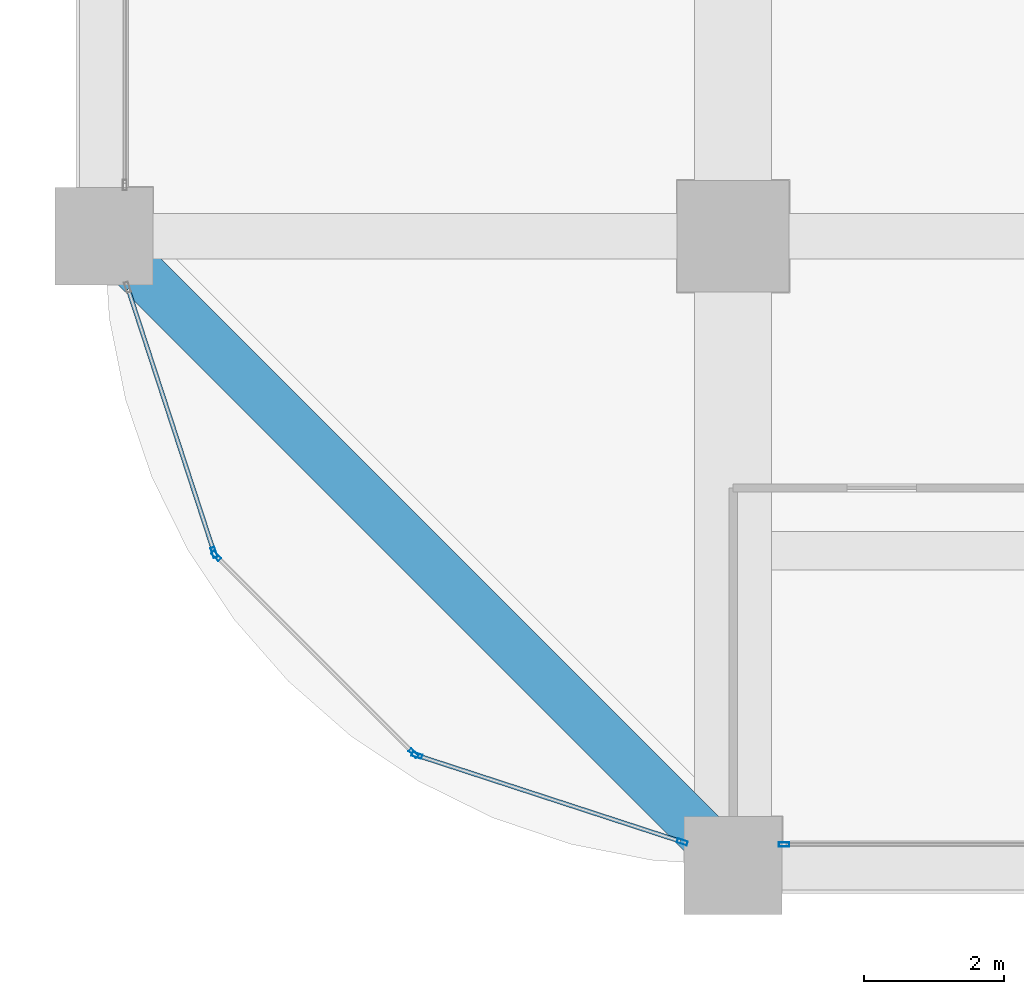
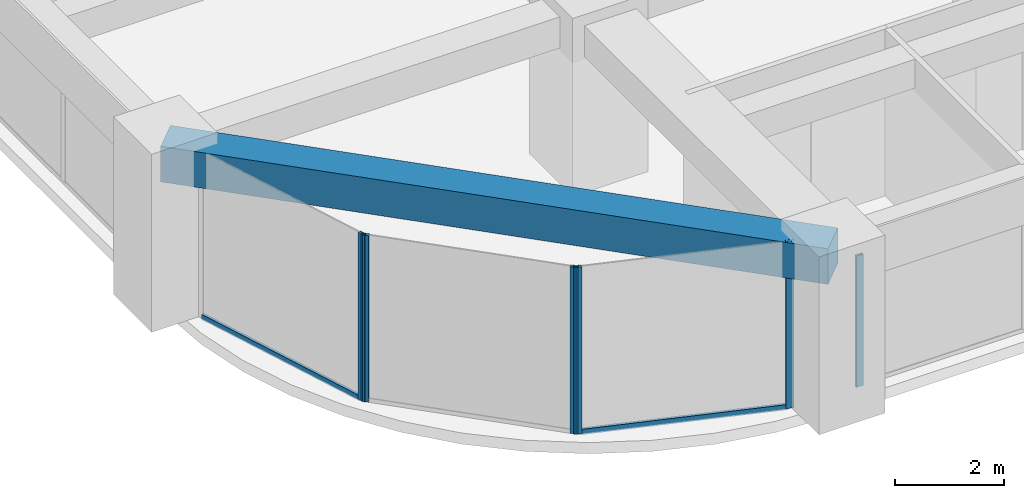
# One storey, part 2 of 34: 8 members, 1 beam, 4 elements without a shape of their own.
"""IFC4 building model written with IfcOpenShell, lengths in metres."""

from ifc_helpers import new_model, si_unit, direction, frame, origin, origin_2d, place, context, subcontext, project, spatial, rectangle, hollow_rectangle, extrude, material, material_profile, profile_set, type_object, element, aggregate, save


model = new_model("IFC4")

# Units and contexts
model_context = context("Model", 3, precision=1e-05, world=origin(), true_north=direction((0.0, 1.0)))
body_context = subcontext(model_context, "Body", "Model", "MODEL_VIEW")
ifc_project = project(units=[si_unit("LENGTHUNIT", "METRE"), si_unit("AREAUNIT", "SQUARE_METRE"), si_unit("VOLUMEUNIT", "CUBIC_METRE"), si_unit("PLANEANGLEUNIT", "RADIAN"), si_unit("MASSUNIT", "GRAM", prefix="KILO")], contexts=[model_context])

# Site, building, storey
site_placement = place(None, origin())
site = spatial("IfcSite", under=ifc_project, at=site_placement, CompositionType="ELEMENT")
building_placement = place(site_placement, origin())
building = spatial("IfcBuilding", under=site, at=building_placement, Name="Zorevar Civic Tower", CompositionType="ELEMENT")
storey_placement = place(building_placement, frame((0.0, 0.0, 174.199951171875)))
storey = spatial("IfcBuildingStorey", under=building, at=storey_placement, Name="L42", CompositionType="ELEMENT", Elevation=174.199951171875)

# Curtain wall, member
ifc_material_1 = material(Name="Dark grey solar-control glass in black aluminium frame", Category="aluminium")
curtain_wall_type = type_object("IfcCurtainWallType", Name="Curtain wall CW4 high zone", PredefinedType="NOTDEFINED", material=ifc_material_1)
curtain_wall_1_placement = place(storey_placement, origin())
curtain_wall_1 = element("IfcCurtainWall", 1, at=curtain_wall_1_placement, inside=storey, type_object=curtain_wall_type, Name="CW4 L42", PredefinedType="NOTDEFINED")
ifc_material_2 = material(Name="Aluminium, black anodised", Category="aluminium")
ifc_material_profile_1 = material_profile(ifc_material_2, hollow_rectangle(XDim=0.06005859375, YDim=0.14990234375, WallThickness=0.00390625, at=origin_2d()), Name="AL 150x60x4")
ifc_profile_set_1 = profile_set([ifc_material_profile_1], Name="Aluminium, black anodised")
member_type_1 = type_object("IfcMemberType", Name="CW4 mullion AL 150x60x4", PredefinedType="MULLION", material=ifc_profile_set_1)
member_1_placement = place(storey_placement, frame((9.72998046875, 0.300048828125, 0.0), z_axis=(0.0, 0.0, 1.0), x_axis=(0.0, 1.0, 0.0)))
member_1 = element("IfcMember", 2, at=member_1_placement, type_object=member_type_1, Name="CW4 mullion 1", PredefinedType="MULLION", context=body_context, shape_type="SweptSolid", body=[
    extrude(hollow_rectangle(XDim=0.06005859375, YDim=0.14990234375, WallThickness=0.00390625, at=origin_2d()), origin(), (0.0, 0.0, 1.0), 2.949951171875),
])
aggregate(curtain_wall_1, [member_1])

curtain_wall_2_placement = place(storey_placement, origin())
curtain_wall_2 = element("IfcCurtainWall", 3, at=curtain_wall_2_placement, inside=storey, type_object=curtain_wall_type, Name="CW4 L42", PredefinedType="NOTDEFINED")
member_2_placement = place(storey_placement, frame((1.57568359375, 4.477783203125, 0.0), z_axis=(0.0, 0.0, 1.0), x_axis=(0.950644749916, 0.310281419775, 0.0)))
member_2 = element("IfcMember", 4, at=member_2_placement, type_object=member_type_1, Name="CW4 mullion 2", PredefinedType="MULLION", context=body_context, shape_type="SweptSolid", body=[
    extrude(hollow_rectangle(XDim=0.06005859375, YDim=0.14990234375, WallThickness=0.00390625, at=origin_2d()), origin(), (0.0, 0.0, 1.0), 3.75),
])

# Curtain wall, members
curtain_wall_3_placement = place(storey_placement, origin())
curtain_wall_3 = element("IfcCurtainWall", 5, at=curtain_wall_3_placement, inside=storey, type_object=curtain_wall_type, Name="CW4 L42", PredefinedType="NOTDEFINED")
member_3_placement = place(storey_placement, frame((1.606201171875, 4.427978515625, 0.0), z_axis=(0.0, 0.0, 1.0), x_axis=(0.707106781187, 0.707106781187, 0.0)))
member_3 = element("IfcMember", 6, at=member_3_placement, type_object=member_type_1, Name="CW4 mullion 1", PredefinedType="MULLION", context=body_context, shape_type="SweptSolid", body=[
    extrude(hollow_rectangle(XDim=0.06005859375, YDim=0.14990234375, WallThickness=0.00390625, at=origin_2d()), origin(), (0.0, 0.0, 1.0), 3.75),
])
member_4_placement = place(storey_placement, frame((4.427978515625, 1.606201171875, 0.0), z_axis=(0.0, 0.0, 1.0), x_axis=(0.707106781187, 0.707106781187, 0.0)))
member_4 = element("IfcMember", 7, at=member_4_placement, type_object=member_type_1, Name="CW4 mullion 2", PredefinedType="MULLION", context=body_context, shape_type="SweptSolid", body=[
    extrude(hollow_rectangle(XDim=0.06005859375, YDim=0.14990234375, WallThickness=0.00390625, at=origin_2d()), origin(), (0.0, 0.0, 1.0), 3.75),
])
aggregate(curtain_wall_3, [member_3, member_4])

curtain_wall_4_placement = place(storey_placement, origin())
curtain_wall_4 = element("IfcCurtainWall", 8, at=curtain_wall_4_placement, inside=storey, type_object=curtain_wall_type, Name="CW4 L42", PredefinedType="NOTDEFINED")
member_5_placement = place(storey_placement, frame((4.477783203125, 1.57568359375, 0.0), z_axis=(0.0, 0.0, 1.0), x_axis=(0.310281419775, 0.950644749916, 0.0)))
member_5 = element("IfcMember", 9, at=member_5_placement, type_object=member_type_1, Name="CW4 mullion 1", PredefinedType="MULLION", context=body_context, shape_type="SweptSolid", body=[
    extrude(hollow_rectangle(XDim=0.06005859375, YDim=0.14990234375, WallThickness=0.00390625, at=origin_2d()), origin(), (0.0, 0.0, 1.0), 3.75),
])
member_6_placement = place(storey_placement, frame((8.271484375, 0.337646484375, 0.0), z_axis=(0.0, 0.0, 1.0), x_axis=(0.310281419775, 0.950644749916, 0.0)))
member_6 = element("IfcMember", 10, at=member_6_placement, type_object=member_type_1, Name="CW4 mullion 2", PredefinedType="MULLION", context=body_context, shape_type="SweptSolid", body=[
    extrude(hollow_rectangle(XDim=0.06005859375, YDim=0.14990234375, WallThickness=0.00390625, at=origin_2d()), origin(), (0.0, 0.0, 1.0), 3.75),
])

# Member
ifc_material_3 = material(Name="Aluminium, black anodised", Category="aluminium")
ifc_material_profile_2 = material_profile(ifc_material_3, hollow_rectangle(XDim=0.06005859375, YDim=0.1201171875, WallThickness=0.0029296875, at=origin_2d()), Name="AL 120x60x3")
ifc_profile_set_2 = profile_set([ifc_material_profile_2], Name="Aluminium, black anodised")
member_type_2 = type_object("IfcMemberType", Name="CW4 transom AL 120x60x3", PredefinedType="USERDEFINED", material=ifc_profile_set_2)
member_7_placement = place(storey_placement, frame((0.346923828125, 8.242919921875, 0.030029296875), z_axis=(0.31025859143, -0.950652200568, 0.0), x_axis=(0.950652200568, 0.31025859143, 0.0)))
member_7 = element("IfcMember", 11, at=member_7_placement, type_object=member_type_2, Name="CW4 sill transom", ObjectType="TRANSOM", PredefinedType="USERDEFINED", context=body_context, shape_type="SweptSolid", body=[
    extrude(hollow_rectangle(XDim=0.06005859375, YDim=0.1201171875, WallThickness=0.0029296875, at=origin_2d()), origin(), (0.0, 0.0, 1.0), 3.930419921875),
])

aggregate(curtain_wall_2, [member_2, member_7])

member_8_placement = place(storey_placement, frame((4.50634765625, 1.56640625, 0.030029296875), z_axis=(0.950652200568, -0.31025859143, 0.0), x_axis=(0.31025859143, 0.950652200568, 0.0)))
member_8 = element("IfcMember", 12, at=member_8_placement, type_object=member_type_2, Name="CW4 sill transom", ObjectType="TRANSOM", PredefinedType="USERDEFINED", context=body_context, shape_type="SweptSolid", body=[
    extrude(hollow_rectangle(XDim=0.06005859375, YDim=0.1201171875, WallThickness=0.0029296875, at=origin_2d()), origin(), (0.0, 0.0, 1.0), 3.930419921875),
])

aggregate(curtain_wall_4, [member_5, member_6, member_8])

# Beam
ifc_material_4 = material(Name="Concrete C50/60", Category="concrete")
ifc_material_profile_3 = material_profile(ifc_material_4, rectangle(XDim=0.699951171875, YDim=0.800048828125, at=origin_2d()), Name="RC 700x800")
ifc_profile_set_3 = profile_set([ifc_material_profile_3], Name="Concrete C50/60")
beam_type = type_object("IfcBeamType", Name="Edge beam RC 700x800", PredefinedType="SPANDREL", material=ifc_profile_set_3)
beam_placement = place(storey_placement, frame((0.0, 9.0, 3.35009765625), z_axis=(0.707106781187, -0.707106781187, 0.0), x_axis=(0.707106781187, 0.707106781187, 0.0)))
element("IfcBeam", 13, at=beam_placement, inside=storey, type_object=beam_type, Name="Corner edge beam L43", PredefinedType="SPANDREL", context=body_context, shape_type="SweptSolid", body=[
    extrude(rectangle(XDim=0.699951171875, YDim=0.800048828125, at=origin_2d()), origin(), (0.0, 0.0, 1.0), 12.72802734375),
])

save(model, "model.ifc")
